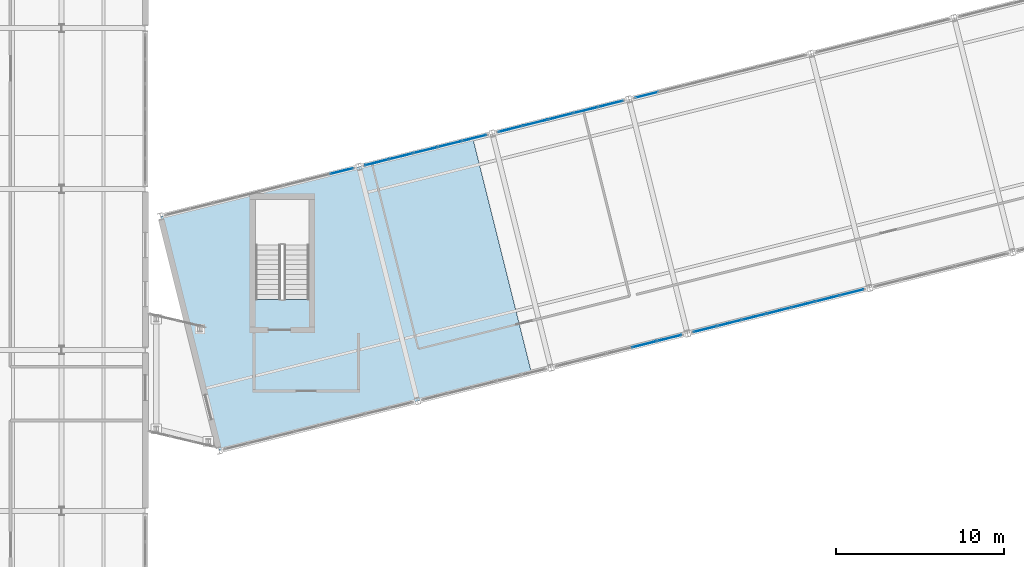
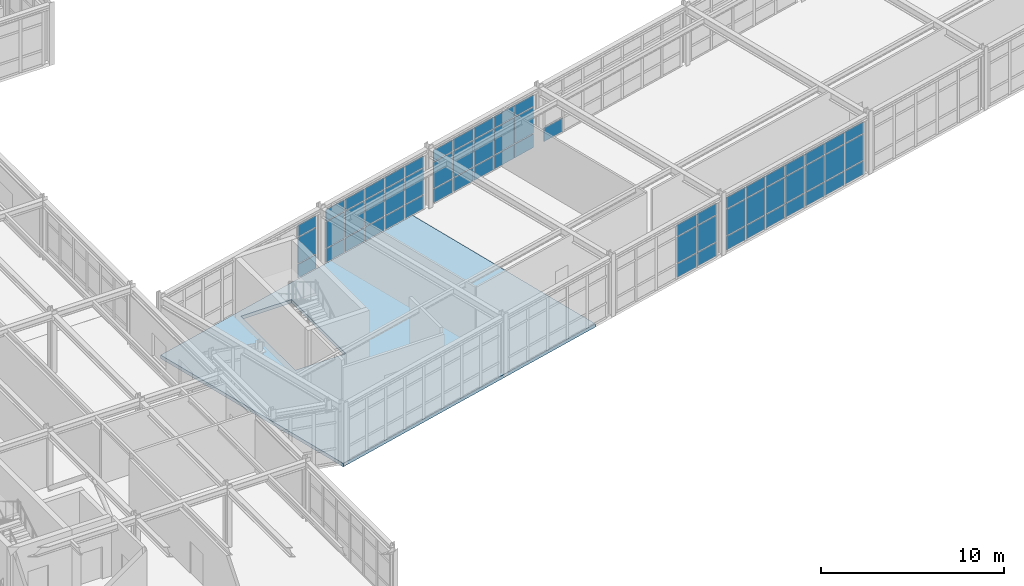
# One storey, part 47 of 76: 61 plates, 1 slab, 6 elements without a shape of their own.
"""IFC4 building model written with IfcOpenShell, lengths in metres."""

from ifc_helpers import new_model, si_unit, direction, frame, origin, origin_2d, place, context, subcontext, project, spatial, polyline, rectangle, outline, extrude, material, layer, layer_set, type_object, element, aggregate, save


model = new_model("IFC4")

# Units and contexts
model_context = context("Model", 3, precision=1e-05, world=origin(), true_north=direction((0.0, 1.0)))
body_context = subcontext(model_context, "Body", "Model", "MODEL_VIEW")
ifc_project = project(units=[si_unit("LENGTHUNIT", "METRE"), si_unit("AREAUNIT", "SQUARE_METRE"), si_unit("VOLUMEUNIT", "CUBIC_METRE"), si_unit("PLANEANGLEUNIT", "RADIAN"), si_unit("MASSUNIT", "GRAM", prefix="KILO")], contexts=[model_context])

# Site, building, storey
site_placement = place(None, origin())
site = spatial("IfcSite", under=ifc_project, at=site_placement, CompositionType="ELEMENT")
building_placement = place(site_placement, origin())
building = spatial("IfcBuilding", under=site, at=building_placement, Name="Nordkorset Police Headquarters", CompositionType="ELEMENT")
storey_placement = place(building_placement, frame((0.0, 0.0, 13.64990234375)))
storey = spatial("IfcBuildingStorey", under=building, at=storey_placement, Name="L03", CompositionType="ELEMENT", Elevation=13.64990234375)

# Curtain wall, plates
ifc_material_1 = material(Name="Aluminium alloy AW-6060", Category="aluminium")
ifc_layer_1 = layer(ifc_material_1, 0.179931640625, Name="Aluminium alloy AW-6060")
ifc_layer_set_1 = layer_set([ifc_layer_1], Name="Aluminium alloy AW-6060")
curtain_wall_type_1 = type_object("IfcCurtainWallType", Name="CW_Unit_1156x365", PredefinedType="USERDEFINED", material=ifc_layer_set_1)
curtain_wall_1_placement = place(storey_placement, origin())
curtain_wall_1 = element("IfcCurtainWall", 1, at=curtain_wall_1_placement, inside=storey, type_object=curtain_wall_type_1, Name="Unitised Curtain Wall L03 V4N-0", ObjectType="UNITISED CURTAIN WALL", PredefinedType="USERDEFINED")
ifc_material_2 = material(Name="Low-iron triple glazing", Category="glass")
ifc_layer_2 = layer(ifc_material_2, 0.035888671875, Name="Low-iron triple glazing")
ifc_layer_set_2 = layer_set([ifc_layer_2], Name="Low-iron triple glazing")
plate_type = type_object("IfcPlateType", Name="CW_Panel_TripleGlazing_36", PredefinedType="CURTAIN_PANEL", material=ifc_layer_set_2)
plate_1_placement = place(storey_placement, frame((30.916015625, 58.672119140625, 0.06494140625), z_axis=(0.0, 0.0, 1.0), x_axis=(0.970142347489, 0.242536235663, 0.0)))
plate_1 = element("IfcPlate", 2, at=plate_1_placement, type_object=plate_type, Name="CW-38 panel 8.1", PredefinedType="CURTAIN_PANEL", context=body_context, shape_type="SweptSolid", body=[
    extrude(rectangle(XDim=1.347412109375, YDim=0.035888671875, at=origin_2d()), origin(), (0.0, 0.0, 1.0), 0.902587890625),
])
plate_2_placement = place(storey_placement, frame((30.916015625, 58.672119140625, 1.03271484375), z_axis=(0.0, 0.0, 1.0), x_axis=(0.970142347489, 0.242536235663, 0.0)))
plate_2 = element("IfcPlate", 3, at=plate_2_placement, type_object=plate_type, Name="CW-38 panel 8.2", PredefinedType="CURTAIN_PANEL", context=body_context, shape_type="SweptSolid", body=[
    extrude(rectangle(XDim=1.347412109375, YDim=0.035888671875, at=origin_2d()), origin(), (0.0, 0.0, 1.0), 1.735107421875),
])
plate_3_placement = place(storey_placement, frame((30.916015625, 58.672119140625, 2.83251953125), z_axis=(0.0, 0.0, 1.0), x_axis=(0.970142347489, 0.242536235663, 0.0)))
plate_3 = element("IfcPlate", 4, at=plate_3_placement, type_object=plate_type, Name="CW-38 panel 8.3", PredefinedType="CURTAIN_PANEL", context=body_context, shape_type="SweptSolid", body=[
    extrude(rectangle(XDim=1.347412109375, YDim=0.035888671875, at=origin_2d()), origin(), (0.0, 0.0, 1.0), 0.75244140625),
])
aggregate(curtain_wall_1, [plate_1, plate_2, plate_3])

ifc_material_3 = material(Name="Aluminium alloy AW-6060", Category="aluminium")
ifc_layer_3 = layer(ifc_material_3, 0.179931640625, Name="Aluminium alloy AW-6060")
ifc_layer_set_3 = layer_set([ifc_layer_3], Name="Aluminium alloy AW-6060")
curtain_wall_type_2 = type_object("IfcCurtainWallType", Name="CW_Unit_756x365", PredefinedType="USERDEFINED", material=ifc_layer_set_3)
curtain_wall_2_placement = place(storey_placement, origin())
curtain_wall_2 = element("IfcCurtainWall", 5, at=curtain_wall_2_placement, inside=storey, type_object=curtain_wall_type_2, Name="Unitised Curtain Wall L03 V4N-1", ObjectType="UNITISED CURTAIN WALL", PredefinedType="USERDEFINED")
plate_4_placement = place(storey_placement, frame((33.0029296875, 59.19384765625, 0.06494140625), z_axis=(0.0, 0.0, 1.0), x_axis=(0.970142500145, 0.242535625038, 0.0)))
plate_4 = element("IfcPlate", 6, at=plate_4_placement, type_object=plate_type, Name="CW-104 panel 1.1", PredefinedType="CURTAIN_PANEL", context=body_context, shape_type="SweptSolid", body=[
    extrude(rectangle(XDim=1.41455078125, YDim=0.035888671875, at=origin_2d()), origin(), (0.0, 0.0, 1.0), 0.902587890625),
])
plate_5_placement = place(storey_placement, frame((33.0029296875, 59.19384765625, 1.03271484375), z_axis=(0.0, 0.0, 1.0), x_axis=(0.970142500145, 0.242535625038, 0.0)))
plate_5 = element("IfcPlate", 7, at=plate_5_placement, type_object=plate_type, Name="CW-104 panel 1.2", PredefinedType="CURTAIN_PANEL", context=body_context, shape_type="SweptSolid", body=[
    extrude(rectangle(XDim=1.41455078125, YDim=0.035888671875, at=origin_2d()), origin(), (0.0, 0.0, 1.0), 1.735107421875),
])
plate_6_placement = place(storey_placement, frame((33.0029296875, 59.19384765625, 2.83251953125), z_axis=(0.0, 0.0, 1.0), x_axis=(0.970142500145, 0.242535625038, 0.0)))
plate_6 = element("IfcPlate", 8, at=plate_6_placement, type_object=plate_type, Name="CW-104 panel 1.3", PredefinedType="CURTAIN_PANEL", context=body_context, shape_type="SweptSolid", body=[
    extrude(rectangle(XDim=1.41455078125, YDim=0.035888671875, at=origin_2d()), origin(), (0.0, 0.0, 1.0), 0.75244140625),
])
plate_7_placement = place(storey_placement, frame((34.453857421875, 59.556640625, 0.06494140625), z_axis=(0.0, 0.0, 1.0), x_axis=(0.970142500145, 0.242535625038, 0.0)))
plate_7 = element("IfcPlate", 9, at=plate_7_placement, type_object=plate_type, Name="CW-104 panel 2.1", PredefinedType="CURTAIN_PANEL", context=body_context, shape_type="SweptSolid", body=[
    extrude(rectangle(XDim=1.447021484375, YDim=0.035888671875, at=origin_2d()), origin(), (0.0, 0.0, 1.0), 0.902587890625),
])
plate_8_placement = place(storey_placement, frame((34.453857421875, 59.556640625, 1.03271484375), z_axis=(0.0, 0.0, 1.0), x_axis=(0.970142500145, 0.242535625038, 0.0)))
plate_8 = element("IfcPlate", 10, at=plate_8_placement, type_object=plate_type, Name="CW-104 panel 2.2", PredefinedType="CURTAIN_PANEL", context=body_context, shape_type="SweptSolid", body=[
    extrude(rectangle(XDim=1.447021484375, YDim=0.035888671875, at=origin_2d()), origin(), (0.0, 0.0, 1.0), 1.735107421875),
])
plate_9_placement = place(storey_placement, frame((34.453857421875, 59.556640625, 2.83251953125), z_axis=(0.0, 0.0, 1.0), x_axis=(0.970142500145, 0.242535625038, 0.0)))
plate_9 = element("IfcPlate", 11, at=plate_9_placement, type_object=plate_type, Name="CW-104 panel 2.3", PredefinedType="CURTAIN_PANEL", context=body_context, shape_type="SweptSolid", body=[
    extrude(rectangle(XDim=1.447021484375, YDim=0.035888671875, at=origin_2d()), origin(), (0.0, 0.0, 1.0), 0.75244140625),
])
plate_10_placement = place(storey_placement, frame((35.9208984375, 59.92333984375, 0.06494140625), z_axis=(0.0, 0.0, 1.0), x_axis=(0.970142500145, 0.242535625038, 0.0)))
plate_10 = element("IfcPlate", 12, at=plate_10_placement, type_object=plate_type, Name="CW-104 panel 3.1", PredefinedType="CURTAIN_PANEL", context=body_context, shape_type="SweptSolid", body=[
    extrude(rectangle(XDim=1.447021484375, YDim=0.035888671875, at=origin_2d()), origin(), (0.0, 0.0, 1.0), 0.902587890625),
])
plate_11_placement = place(storey_placement, frame((35.9208984375, 59.92333984375, 1.03271484375), z_axis=(0.0, 0.0, 1.0), x_axis=(0.970142500145, 0.242535625038, 0.0)))
plate_11 = element("IfcPlate", 13, at=plate_11_placement, type_object=plate_type, Name="CW-104 panel 3.2", PredefinedType="CURTAIN_PANEL", context=body_context, shape_type="SweptSolid", body=[
    extrude(rectangle(XDim=1.447021484375, YDim=0.035888671875, at=origin_2d()), origin(), (0.0, 0.0, 1.0), 1.735107421875),
])
plate_12_placement = place(storey_placement, frame((35.9208984375, 59.92333984375, 2.83251953125), z_axis=(0.0, 0.0, 1.0), x_axis=(0.970142500145, 0.242535625038, 0.0)))
plate_12 = element("IfcPlate", 14, at=plate_12_placement, type_object=plate_type, Name="CW-104 panel 3.3", PredefinedType="CURTAIN_PANEL", context=body_context, shape_type="SweptSolid", body=[
    extrude(rectangle(XDim=1.447021484375, YDim=0.035888671875, at=origin_2d()), origin(), (0.0, 0.0, 1.0), 0.75244140625),
])
plate_13_placement = place(storey_placement, frame((37.3876953125, 60.2900390625, 0.06494140625), z_axis=(0.0, 0.0, 1.0), x_axis=(0.970142500145, 0.242535625038, 0.0)))
plate_13 = element("IfcPlate", 15, at=plate_13_placement, type_object=plate_type, Name="CW-104 panel 4.1", PredefinedType="CURTAIN_PANEL", context=body_context, shape_type="SweptSolid", body=[
    extrude(rectangle(XDim=1.447021484375, YDim=0.035888671875, at=origin_2d()), origin(), (0.0, 0.0, 1.0), 0.902587890625),
])
plate_14_placement = place(storey_placement, frame((37.3876953125, 60.2900390625, 1.03271484375), z_axis=(0.0, 0.0, 1.0), x_axis=(0.970142500145, 0.242535625038, 0.0)))
plate_14 = element("IfcPlate", 16, at=plate_14_placement, type_object=plate_type, Name="CW-104 panel 4.2", PredefinedType="CURTAIN_PANEL", context=body_context, shape_type="SweptSolid", body=[
    extrude(rectangle(XDim=1.447021484375, YDim=0.035888671875, at=origin_2d()), origin(), (0.0, 0.0, 1.0), 1.735107421875),
])
plate_15_placement = place(storey_placement, frame((37.3876953125, 60.2900390625, 2.83251953125), z_axis=(0.0, 0.0, 1.0), x_axis=(0.970142500145, 0.242535625038, 0.0)))
plate_15 = element("IfcPlate", 17, at=plate_15_placement, type_object=plate_type, Name="CW-104 panel 4.3", PredefinedType="CURTAIN_PANEL", context=body_context, shape_type="SweptSolid", body=[
    extrude(rectangle(XDim=1.447021484375, YDim=0.035888671875, at=origin_2d()), origin(), (0.0, 0.0, 1.0), 0.75244140625),
])
plate_16_placement = place(storey_placement, frame((38.8388671875, 60.65283203125, 0.06494140625), z_axis=(0.0, 0.0, 1.0), x_axis=(0.970142500145, 0.242535625038, 0.0)))
plate_16 = element("IfcPlate", 18, at=plate_16_placement, type_object=plate_type, Name="CW-104 panel 5.1", PredefinedType="CURTAIN_PANEL", context=body_context, shape_type="SweptSolid", body=[
    extrude(rectangle(XDim=1.41455078125, YDim=0.035888671875, at=origin_2d()), origin(), (0.0, 0.0, 1.0), 0.902587890625),
])
plate_17_placement = place(storey_placement, frame((38.8388671875, 60.65283203125, 1.03271484375), z_axis=(0.0, 0.0, 1.0), x_axis=(0.970142500145, 0.242535625038, 0.0)))
plate_17 = element("IfcPlate", 19, at=plate_17_placement, type_object=plate_type, Name="CW-104 panel 5.2", PredefinedType="CURTAIN_PANEL", context=body_context, shape_type="SweptSolid", body=[
    extrude(rectangle(XDim=1.41455078125, YDim=0.035888671875, at=origin_2d()), origin(), (0.0, 0.0, 1.0), 1.735107421875),
])
plate_18_placement = place(storey_placement, frame((38.8388671875, 60.65283203125, 2.83251953125), z_axis=(0.0, 0.0, 1.0), x_axis=(0.970142500145, 0.242535625038, 0.0)))
plate_18 = element("IfcPlate", 20, at=plate_18_placement, type_object=plate_type, Name="CW-104 panel 5.3", PredefinedType="CURTAIN_PANEL", context=body_context, shape_type="SweptSolid", body=[
    extrude(rectangle(XDim=1.41455078125, YDim=0.035888671875, at=origin_2d()), origin(), (0.0, 0.0, 1.0), 0.75244140625),
])
aggregate(curtain_wall_2, [plate_4, plate_5, plate_6, plate_7, plate_8, plate_9, plate_10, plate_11, plate_12, plate_13, plate_14, plate_15, plate_16, plate_17, plate_18])

ifc_material_4 = material(Name="Aluminium alloy AW-6060", Category="aluminium")
ifc_layer_4 = layer(ifc_material_4, 0.179931640625, Name="Aluminium alloy AW-6060")
ifc_layer_set_4 = layer_set([ifc_layer_4], Name="Aluminium alloy AW-6060")
curtain_wall_type_3 = type_object("IfcCurtainWallType", Name="CW_Unit_776x365", PredefinedType="USERDEFINED", material=ifc_layer_set_4)
curtain_wall_3_placement = place(storey_placement, origin())
curtain_wall_3 = element("IfcCurtainWall", 21, at=curtain_wall_3_placement, inside=storey, type_object=curtain_wall_type_3, Name="Unitised Curtain Wall L03 V4S-2", ObjectType="UNITISED CURTAIN WALL", PredefinedType="USERDEFINED")
plate_19_placement = place(storey_placement, frame((48.97119140625, 48.3427734375, 0.06494140625), z_axis=(0.0, 0.0, 1.0), x_axis=(0.970142727556, 0.24253471539, 0.0)))
plate_19 = element("IfcPlate", 22, at=plate_19_placement, type_object=plate_type, Name="CW-42 panel 4.1", PredefinedType="CURTAIN_PANEL", context=body_context, shape_type="SweptSolid", body=[
    extrude(rectangle(XDim=1.487060546875, YDim=0.035888671875, at=origin_2d()), origin(), (0.0, 0.0, 1.0), 0.902587890625),
])
plate_20_placement = place(storey_placement, frame((48.97119140625, 48.3427734375, 1.03271484375), z_axis=(0.0, 0.0, 1.0), x_axis=(0.970142727556, 0.24253471539, 0.0)))
plate_20 = element("IfcPlate", 23, at=plate_20_placement, type_object=plate_type, Name="CW-42 panel 4.2", PredefinedType="CURTAIN_PANEL", context=body_context, shape_type="SweptSolid", body=[
    extrude(rectangle(XDim=1.487060546875, YDim=0.035888671875, at=origin_2d()), origin(), (0.0, 0.0, 1.0), 1.735107421875),
])
plate_21_placement = place(storey_placement, frame((48.97119140625, 48.3427734375, 2.83251953125), z_axis=(0.0, 0.0, 1.0), x_axis=(0.970142727556, 0.24253471539, 0.0)))
plate_21 = element("IfcPlate", 24, at=plate_21_placement, type_object=plate_type, Name="CW-42 panel 4.3", PredefinedType="CURTAIN_PANEL", context=body_context, shape_type="SweptSolid", body=[
    extrude(rectangle(XDim=1.487060546875, YDim=0.035888671875, at=origin_2d()), origin(), (0.0, 0.0, 1.0), 0.75244140625),
])
plate_22_placement = place(storey_placement, frame((50.461181640625, 48.71533203125, 0.06494140625), z_axis=(0.0, 0.0, 1.0), x_axis=(0.970142727556, 0.24253471539, 0.0)))
plate_22 = element("IfcPlate", 25, at=plate_22_placement, type_object=plate_type, Name="CW-42 panel 5.1", PredefinedType="CURTAIN_PANEL", context=body_context, shape_type="SweptSolid", body=[
    extrude(rectangle(XDim=1.45458984375, YDim=0.035888671875, at=origin_2d()), origin(), (0.0, 0.0, 1.0), 0.902587890625),
])
plate_23_placement = place(storey_placement, frame((50.461181640625, 48.71533203125, 1.03271484375), z_axis=(0.0, 0.0, 1.0), x_axis=(0.970142727556, 0.24253471539, 0.0)))
plate_23 = element("IfcPlate", 26, at=plate_23_placement, type_object=plate_type, Name="CW-42 panel 5.2", PredefinedType="CURTAIN_PANEL", context=body_context, shape_type="SweptSolid", body=[
    extrude(rectangle(XDim=1.45458984375, YDim=0.035888671875, at=origin_2d()), origin(), (0.0, 0.0, 1.0), 1.735107421875),
])
plate_24_placement = place(storey_placement, frame((50.461181640625, 48.71533203125, 2.83251953125), z_axis=(0.0, 0.0, 1.0), x_axis=(0.970142727556, 0.24253471539, 0.0)))
plate_24 = element("IfcPlate", 27, at=plate_24_placement, type_object=plate_type, Name="CW-42 panel 5.3", PredefinedType="CURTAIN_PANEL", context=body_context, shape_type="SweptSolid", body=[
    extrude(rectangle(XDim=1.45458984375, YDim=0.035888671875, at=origin_2d()), origin(), (0.0, 0.0, 1.0), 0.75244140625),
])
aggregate(curtain_wall_3, [plate_19, plate_20, plate_21, plate_22, plate_23, plate_24])

curtain_wall_4_placement = place(storey_placement, origin())
curtain_wall_4 = element("IfcCurtainWall", 28, at=curtain_wall_4_placement, inside=storey, type_object=curtain_wall_type_3, Name="Unitised Curtain Wall L03 V4N-2", ObjectType="UNITISED CURTAIN WALL", PredefinedType="USERDEFINED")
plate_25_placement = place(storey_placement, frame((40.9775390625, 61.1875, 0.06494140625), z_axis=(0.0, 0.0, 1.0), x_axis=(0.970142424344, 0.242535928242, 0.0)))
plate_25 = element("IfcPlate", 29, at=plate_25_placement, type_object=plate_type, Name="CW-42 panel 1.1", PredefinedType="CURTAIN_PANEL", context=body_context, shape_type="SweptSolid", body=[
    extrude(rectangle(XDim=1.45458984375, YDim=0.035888671875, at=origin_2d()), origin(), (0.0, 0.0, 1.0), 0.902587890625),
])
plate_26_placement = place(storey_placement, frame((40.9775390625, 61.1875, 1.03271484375), z_axis=(0.0, 0.0, 1.0), x_axis=(0.970142424344, 0.242535928242, 0.0)))
plate_26 = element("IfcPlate", 30, at=plate_26_placement, type_object=plate_type, Name="CW-42 panel 1.2", PredefinedType="CURTAIN_PANEL", context=body_context, shape_type="SweptSolid", body=[
    extrude(rectangle(XDim=1.45458984375, YDim=0.035888671875, at=origin_2d()), origin(), (0.0, 0.0, 1.0), 1.735107421875),
])
plate_27_placement = place(storey_placement, frame((40.9775390625, 61.1875, 2.83251953125), z_axis=(0.0, 0.0, 1.0), x_axis=(0.970142424344, 0.242535928242, 0.0)))
plate_27 = element("IfcPlate", 31, at=plate_27_placement, type_object=plate_type, Name="CW-42 panel 1.3", PredefinedType="CURTAIN_PANEL", context=body_context, shape_type="SweptSolid", body=[
    extrude(rectangle(XDim=1.45458984375, YDim=0.035888671875, at=origin_2d()), origin(), (0.0, 0.0, 1.0), 0.75244140625),
])
plate_28_placement = place(storey_placement, frame((42.46728515625, 61.56005859375, 0.06494140625), z_axis=(0.0, 0.0, 1.0), x_axis=(0.970142424344, 0.242535928242, 0.0)))
plate_28 = element("IfcPlate", 32, at=plate_28_placement, type_object=plate_type, Name="CW-42 panel 2.1", PredefinedType="CURTAIN_PANEL", context=body_context, shape_type="SweptSolid", body=[
    extrude(rectangle(XDim=1.487060546875, YDim=0.035888671875, at=origin_2d()), origin(), (0.0, 0.0, 1.0), 0.902587890625),
])
plate_29_placement = place(storey_placement, frame((42.46728515625, 61.56005859375, 1.03271484375), z_axis=(0.0, 0.0, 1.0), x_axis=(0.970142424344, 0.242535928242, 0.0)))
plate_29 = element("IfcPlate", 33, at=plate_29_placement, type_object=plate_type, Name="CW-42 panel 2.2", PredefinedType="CURTAIN_PANEL", context=body_context, shape_type="SweptSolid", body=[
    extrude(rectangle(XDim=1.487060546875, YDim=0.035888671875, at=origin_2d()), origin(), (0.0, 0.0, 1.0), 1.735107421875),
])
plate_30_placement = place(storey_placement, frame((42.46728515625, 61.56005859375, 2.83251953125), z_axis=(0.0, 0.0, 1.0), x_axis=(0.970142424344, 0.242535928242, 0.0)))
plate_30 = element("IfcPlate", 34, at=plate_30_placement, type_object=plate_type, Name="CW-42 panel 2.3", PredefinedType="CURTAIN_PANEL", context=body_context, shape_type="SweptSolid", body=[
    extrude(rectangle(XDim=1.487060546875, YDim=0.035888671875, at=origin_2d()), origin(), (0.0, 0.0, 1.0), 0.75244140625),
])
plate_31_placement = place(storey_placement, frame((43.972900390625, 61.9365234375, 0.06494140625), z_axis=(0.0, 0.0, 1.0), x_axis=(0.970142424344, 0.242535928242, 0.0)))
plate_31 = element("IfcPlate", 35, at=plate_31_placement, type_object=plate_type, Name="CW-42 panel 3.1", PredefinedType="CURTAIN_PANEL", context=body_context, shape_type="SweptSolid", body=[
    extrude(rectangle(XDim=1.487060546875, YDim=0.035888671875, at=origin_2d()), origin(), (0.0, 0.0, 1.0), 0.902587890625),
])
plate_32_placement = place(storey_placement, frame((43.972900390625, 61.9365234375, 1.03271484375), z_axis=(0.0, 0.0, 1.0), x_axis=(0.970142424344, 0.242535928242, 0.0)))
plate_32 = element("IfcPlate", 36, at=plate_32_placement, type_object=plate_type, Name="CW-42 panel 3.2", PredefinedType="CURTAIN_PANEL", context=body_context, shape_type="SweptSolid", body=[
    extrude(rectangle(XDim=1.487060546875, YDim=0.035888671875, at=origin_2d()), origin(), (0.0, 0.0, 1.0), 1.735107421875),
])
plate_33_placement = place(storey_placement, frame((43.972900390625, 61.9365234375, 2.83251953125), z_axis=(0.0, 0.0, 1.0), x_axis=(0.970142424344, 0.242535928242, 0.0)))
plate_33 = element("IfcPlate", 37, at=plate_33_placement, type_object=plate_type, Name="CW-42 panel 3.3", PredefinedType="CURTAIN_PANEL", context=body_context, shape_type="SweptSolid", body=[
    extrude(rectangle(XDim=1.487060546875, YDim=0.035888671875, at=origin_2d()), origin(), (0.0, 0.0, 1.0), 0.75244140625),
])
plate_34_placement = place(storey_placement, frame((45.478759765625, 62.312744140625, 0.06494140625), z_axis=(0.0, 0.0, 1.0), x_axis=(0.970142424344, 0.242535928242, 0.0)))
plate_34 = element("IfcPlate", 38, at=plate_34_placement, type_object=plate_type, Name="CW-42 panel 4.1", PredefinedType="CURTAIN_PANEL", context=body_context, shape_type="SweptSolid", body=[
    extrude(rectangle(XDim=1.487060546875, YDim=0.035888671875, at=origin_2d()), origin(), (0.0, 0.0, 1.0), 0.902587890625),
])
plate_35_placement = place(storey_placement, frame((45.478759765625, 62.312744140625, 1.03271484375), z_axis=(0.0, 0.0, 1.0), x_axis=(0.970142424344, 0.242535928242, 0.0)))
plate_35 = element("IfcPlate", 39, at=plate_35_placement, type_object=plate_type, Name="CW-42 panel 4.2", PredefinedType="CURTAIN_PANEL", context=body_context, shape_type="SweptSolid", body=[
    extrude(rectangle(XDim=1.487060546875, YDim=0.035888671875, at=origin_2d()), origin(), (0.0, 0.0, 1.0), 1.735107421875),
])
plate_36_placement = place(storey_placement, frame((45.478759765625, 62.312744140625, 2.83251953125), z_axis=(0.0, 0.0, 1.0), x_axis=(0.970142424344, 0.242535928242, 0.0)))
plate_36 = element("IfcPlate", 40, at=plate_36_placement, type_object=plate_type, Name="CW-42 panel 4.3", PredefinedType="CURTAIN_PANEL", context=body_context, shape_type="SweptSolid", body=[
    extrude(rectangle(XDim=1.487060546875, YDim=0.035888671875, at=origin_2d()), origin(), (0.0, 0.0, 1.0), 0.75244140625),
])
plate_37_placement = place(storey_placement, frame((46.968505859375, 62.685302734375, 0.06494140625), z_axis=(0.0, 0.0, 1.0), x_axis=(0.970142424344, 0.242535928242, 0.0)))
plate_37 = element("IfcPlate", 41, at=plate_37_placement, type_object=plate_type, Name="CW-42 panel 5.1", PredefinedType="CURTAIN_PANEL", context=body_context, shape_type="SweptSolid", body=[
    extrude(rectangle(XDim=1.45458984375, YDim=0.035888671875, at=origin_2d()), origin(), (0.0, 0.0, 1.0), 0.902587890625),
])
plate_38_placement = place(storey_placement, frame((46.968505859375, 62.685302734375, 1.03271484375), z_axis=(0.0, 0.0, 1.0), x_axis=(0.970142424344, 0.242535928242, 0.0)))
plate_38 = element("IfcPlate", 42, at=plate_38_placement, type_object=plate_type, Name="CW-42 panel 5.2", PredefinedType="CURTAIN_PANEL", context=body_context, shape_type="SweptSolid", body=[
    extrude(rectangle(XDim=1.45458984375, YDim=0.035888671875, at=origin_2d()), origin(), (0.0, 0.0, 1.0), 1.735107421875),
])
plate_39_placement = place(storey_placement, frame((46.968505859375, 62.685302734375, 2.83251953125), z_axis=(0.0, 0.0, 1.0), x_axis=(0.970142424344, 0.242535928242, 0.0)))
plate_39 = element("IfcPlate", 43, at=plate_39_placement, type_object=plate_type, Name="CW-42 panel 5.3", PredefinedType="CURTAIN_PANEL", context=body_context, shape_type="SweptSolid", body=[
    extrude(rectangle(XDim=1.45458984375, YDim=0.035888671875, at=origin_2d()), origin(), (0.0, 0.0, 1.0), 0.75244140625),
])
aggregate(curtain_wall_4, [plate_25, plate_26, plate_27, plate_28, plate_29, plate_30, plate_31, plate_32, plate_33, plate_34, plate_35, plate_36, plate_37, plate_38, plate_39])

ifc_material_5 = material(Name="Aluminium alloy AW-6060", Category="aluminium")
ifc_layer_5 = layer(ifc_material_5, 0.179931640625, Name="Aluminium alloy AW-6060")
ifc_layer_set_5 = layer_set([ifc_layer_5], Name="Aluminium alloy AW-6060")
curtain_wall_type_4 = type_object("IfcCurtainWallType", Name="CW_Unit_1056x365", PredefinedType="USERDEFINED", material=ifc_layer_set_5)
curtain_wall_5_placement = place(storey_placement, origin())
curtain_wall_5 = element("IfcCurtainWall", 44, at=curtain_wall_5_placement, inside=storey, type_object=curtain_wall_type_4, Name="Unitised Curtain Wall L03 V4S-3", ObjectType="UNITISED CURTAIN WALL", PredefinedType="USERDEFINED")
plate_40_placement = place(storey_placement, frame((52.59814453125, 49.24951171875, 0.06494140625), z_axis=(0.0, 0.0, 1.0), x_axis=(0.970142611554, 0.242535179399, 0.0)))
plate_40 = element("IfcPlate", 45, at=plate_40_placement, type_object=plate_type, Name="CW-11 panel 1.1", PredefinedType="CURTAIN_PANEL", context=body_context, shape_type="SweptSolid", body=[
    extrude(rectangle(XDim=1.4111328125, YDim=0.035888671875, at=origin_2d()), origin(), (0.0, 0.0, 1.0), 0.902587890625),
])
plate_41_placement = place(storey_placement, frame((52.59814453125, 49.24951171875, 1.03271484375), z_axis=(0.0, 0.0, 1.0), x_axis=(0.970142611554, 0.242535179399, 0.0)))
plate_41 = element("IfcPlate", 46, at=plate_41_placement, type_object=plate_type, Name="CW-11 panel 1.2", PredefinedType="CURTAIN_PANEL", context=body_context, shape_type="SweptSolid", body=[
    extrude(rectangle(XDim=1.4111328125, YDim=0.035888671875, at=origin_2d()), origin(), (0.0, 0.0, 1.0), 1.735107421875),
])
plate_42_placement = place(storey_placement, frame((52.59814453125, 49.24951171875, 2.83251953125), z_axis=(0.0, 0.0, 1.0), x_axis=(0.970142611554, 0.242535179399, 0.0)))
plate_42 = element("IfcPlate", 47, at=plate_42_placement, type_object=plate_type, Name="CW-11 panel 1.3", PredefinedType="CURTAIN_PANEL", context=body_context, shape_type="SweptSolid", body=[
    extrude(rectangle(XDim=1.4111328125, YDim=0.035888671875, at=origin_2d()), origin(), (0.0, 0.0, 1.0), 0.75244140625),
])
plate_43_placement = place(storey_placement, frame((54.0458984375, 49.611572265625, 0.06494140625), z_axis=(0.0, 0.0, 1.0), x_axis=(0.970142611554, 0.242535179399, 0.0)))
plate_43 = element("IfcPlate", 48, at=plate_43_placement, type_object=plate_type, Name="CW-11 panel 2.1", PredefinedType="CURTAIN_PANEL", context=body_context, shape_type="SweptSolid", body=[
    extrude(rectangle(XDim=1.443603515625, YDim=0.035888671875, at=origin_2d()), origin(), (0.0, 0.0, 1.0), 0.902587890625),
])
plate_44_placement = place(storey_placement, frame((54.0458984375, 49.611572265625, 1.03271484375), z_axis=(0.0, 0.0, 1.0), x_axis=(0.970142611554, 0.242535179399, 0.0)))
plate_44 = element("IfcPlate", 49, at=plate_44_placement, type_object=plate_type, Name="CW-11 panel 2.2", PredefinedType="CURTAIN_PANEL", context=body_context, shape_type="SweptSolid", body=[
    extrude(rectangle(XDim=1.443603515625, YDim=0.035888671875, at=origin_2d()), origin(), (0.0, 0.0, 1.0), 1.735107421875),
])
plate_45_placement = place(storey_placement, frame((54.0458984375, 49.611572265625, 2.83251953125), z_axis=(0.0, 0.0, 1.0), x_axis=(0.970142611554, 0.242535179399, 0.0)))
plate_45 = element("IfcPlate", 50, at=plate_45_placement, type_object=plate_type, Name="CW-11 panel 2.3", PredefinedType="CURTAIN_PANEL", context=body_context, shape_type="SweptSolid", body=[
    extrude(rectangle(XDim=1.443603515625, YDim=0.035888671875, at=origin_2d()), origin(), (0.0, 0.0, 1.0), 0.75244140625),
])
plate_46_placement = place(storey_placement, frame((55.50927734375, 49.977294921875, 0.06494140625), z_axis=(0.0, 0.0, 1.0), x_axis=(0.970142611554, 0.242535179399, 0.0)))
plate_46 = element("IfcPlate", 51, at=plate_46_placement, type_object=plate_type, Name="CW-11 panel 3.1", PredefinedType="CURTAIN_PANEL", context=body_context, shape_type="SweptSolid", body=[
    extrude(rectangle(XDim=1.443603515625, YDim=0.035888671875, at=origin_2d()), origin(), (0.0, 0.0, 1.0), 0.902587890625),
])
plate_47_placement = place(storey_placement, frame((55.50927734375, 49.977294921875, 1.03271484375), z_axis=(0.0, 0.0, 1.0), x_axis=(0.970142611554, 0.242535179399, 0.0)))
plate_47 = element("IfcPlate", 52, at=plate_47_placement, type_object=plate_type, Name="CW-11 panel 3.2", PredefinedType="CURTAIN_PANEL", context=body_context, shape_type="SweptSolid", body=[
    extrude(rectangle(XDim=1.443603515625, YDim=0.035888671875, at=origin_2d()), origin(), (0.0, 0.0, 1.0), 1.735107421875),
])
plate_48_placement = place(storey_placement, frame((55.50927734375, 49.977294921875, 2.83251953125), z_axis=(0.0, 0.0, 1.0), x_axis=(0.970142611554, 0.242535179399, 0.0)))
plate_48 = element("IfcPlate", 53, at=plate_48_placement, type_object=plate_type, Name="CW-11 panel 3.3", PredefinedType="CURTAIN_PANEL", context=body_context, shape_type="SweptSolid", body=[
    extrude(rectangle(XDim=1.443603515625, YDim=0.035888671875, at=origin_2d()), origin(), (0.0, 0.0, 1.0), 0.75244140625),
])
plate_49_placement = place(storey_placement, frame((56.972900390625, 50.34326171875, 0.06494140625), z_axis=(0.0, 0.0, 1.0), x_axis=(0.970142611554, 0.242535179399, 0.0)))
plate_49 = element("IfcPlate", 54, at=plate_49_placement, type_object=plate_type, Name="CW-11 panel 4.1", PredefinedType="CURTAIN_PANEL", context=body_context, shape_type="SweptSolid", body=[
    extrude(rectangle(XDim=1.443603515625, YDim=0.035888671875, at=origin_2d()), origin(), (0.0, 0.0, 1.0), 0.902587890625),
])
plate_50_placement = place(storey_placement, frame((56.972900390625, 50.34326171875, 1.03271484375), z_axis=(0.0, 0.0, 1.0), x_axis=(0.970142611554, 0.242535179399, 0.0)))
plate_50 = element("IfcPlate", 55, at=plate_50_placement, type_object=plate_type, Name="CW-11 panel 4.2", PredefinedType="CURTAIN_PANEL", context=body_context, shape_type="SweptSolid", body=[
    extrude(rectangle(XDim=1.443603515625, YDim=0.035888671875, at=origin_2d()), origin(), (0.0, 0.0, 1.0), 1.735107421875),
])
plate_51_placement = place(storey_placement, frame((56.972900390625, 50.34326171875, 2.83251953125), z_axis=(0.0, 0.0, 1.0), x_axis=(0.970142611554, 0.242535179399, 0.0)))
plate_51 = element("IfcPlate", 56, at=plate_51_placement, type_object=plate_type, Name="CW-11 panel 4.3", PredefinedType="CURTAIN_PANEL", context=body_context, shape_type="SweptSolid", body=[
    extrude(rectangle(XDim=1.443603515625, YDim=0.035888671875, at=origin_2d()), origin(), (0.0, 0.0, 1.0), 0.75244140625),
])
plate_52_placement = place(storey_placement, frame((58.4365234375, 50.708984375, 0.06494140625), z_axis=(0.0, 0.0, 1.0), x_axis=(0.970142611554, 0.242535179399, 0.0)))
plate_52 = element("IfcPlate", 57, at=plate_52_placement, type_object=plate_type, Name="CW-11 panel 5.1", PredefinedType="CURTAIN_PANEL", context=body_context, shape_type="SweptSolid", body=[
    extrude(rectangle(XDim=1.443603515625, YDim=0.035888671875, at=origin_2d()), origin(), (0.0, 0.0, 1.0), 0.902587890625),
])
plate_53_placement = place(storey_placement, frame((58.4365234375, 50.708984375, 1.03271484375), z_axis=(0.0, 0.0, 1.0), x_axis=(0.970142611554, 0.242535179399, 0.0)))
plate_53 = element("IfcPlate", 58, at=plate_53_placement, type_object=plate_type, Name="CW-11 panel 5.2", PredefinedType="CURTAIN_PANEL", context=body_context, shape_type="SweptSolid", body=[
    extrude(rectangle(XDim=1.443603515625, YDim=0.035888671875, at=origin_2d()), origin(), (0.0, 0.0, 1.0), 1.735107421875),
])
plate_54_placement = place(storey_placement, frame((58.4365234375, 50.708984375, 2.83251953125), z_axis=(0.0, 0.0, 1.0), x_axis=(0.970142611554, 0.242535179399, 0.0)))
plate_54 = element("IfcPlate", 59, at=plate_54_placement, type_object=plate_type, Name="CW-11 panel 5.3", PredefinedType="CURTAIN_PANEL", context=body_context, shape_type="SweptSolid", body=[
    extrude(rectangle(XDim=1.443603515625, YDim=0.035888671875, at=origin_2d()), origin(), (0.0, 0.0, 1.0), 0.75244140625),
])
plate_55_placement = place(storey_placement, frame((59.89990234375, 51.074951171875, 0.06494140625), z_axis=(0.0, 0.0, 1.0), x_axis=(0.970142611554, 0.242535179399, 0.0)))
plate_55 = element("IfcPlate", 60, at=plate_55_placement, type_object=plate_type, Name="CW-11 panel 6.1", PredefinedType="CURTAIN_PANEL", context=body_context, shape_type="SweptSolid", body=[
    extrude(rectangle(XDim=1.443603515625, YDim=0.035888671875, at=origin_2d()), origin(), (0.0, 0.0, 1.0), 0.902587890625),
])
plate_56_placement = place(storey_placement, frame((59.89990234375, 51.074951171875, 1.03271484375), z_axis=(0.0, 0.0, 1.0), x_axis=(0.970142611554, 0.242535179399, 0.0)))
plate_56 = element("IfcPlate", 61, at=plate_56_placement, type_object=plate_type, Name="CW-11 panel 6.2", PredefinedType="CURTAIN_PANEL", context=body_context, shape_type="SweptSolid", body=[
    extrude(rectangle(XDim=1.443603515625, YDim=0.035888671875, at=origin_2d()), origin(), (0.0, 0.0, 1.0), 1.735107421875),
])
plate_57_placement = place(storey_placement, frame((59.89990234375, 51.074951171875, 2.83251953125), z_axis=(0.0, 0.0, 1.0), x_axis=(0.970142611554, 0.242535179399, 0.0)))
plate_57 = element("IfcPlate", 62, at=plate_57_placement, type_object=plate_type, Name="CW-11 panel 6.3", PredefinedType="CURTAIN_PANEL", context=body_context, shape_type="SweptSolid", body=[
    extrude(rectangle(XDim=1.443603515625, YDim=0.035888671875, at=origin_2d()), origin(), (0.0, 0.0, 1.0), 0.75244140625),
])
plate_58_placement = place(storey_placement, frame((61.34765625, 51.43701171875, 0.06494140625), z_axis=(0.0, 0.0, 1.0), x_axis=(0.970142611554, 0.242535179399, 0.0)))
plate_58 = element("IfcPlate", 63, at=plate_58_placement, type_object=plate_type, Name="CW-11 panel 7.1", PredefinedType="CURTAIN_PANEL", context=body_context, shape_type="SweptSolid", body=[
    extrude(rectangle(XDim=1.4111328125, YDim=0.035888671875, at=origin_2d()), origin(), (0.0, 0.0, 1.0), 0.902587890625),
])
plate_59_placement = place(storey_placement, frame((61.34765625, 51.43701171875, 1.03271484375), z_axis=(0.0, 0.0, 1.0), x_axis=(0.970142611554, 0.242535179399, 0.0)))
plate_59 = element("IfcPlate", 64, at=plate_59_placement, type_object=plate_type, Name="CW-11 panel 7.2", PredefinedType="CURTAIN_PANEL", context=body_context, shape_type="SweptSolid", body=[
    extrude(rectangle(XDim=1.4111328125, YDim=0.035888671875, at=origin_2d()), origin(), (0.0, 0.0, 1.0), 1.735107421875),
])
plate_60_placement = place(storey_placement, frame((61.34765625, 51.43701171875, 2.83251953125), z_axis=(0.0, 0.0, 1.0), x_axis=(0.970142611554, 0.242535179399, 0.0)))
plate_60 = element("IfcPlate", 65, at=plate_60_placement, type_object=plate_type, Name="CW-11 panel 7.3", PredefinedType="CURTAIN_PANEL", context=body_context, shape_type="SweptSolid", body=[
    extrude(rectangle(XDim=1.4111328125, YDim=0.035888671875, at=origin_2d()), origin(), (0.0, 0.0, 1.0), 0.75244140625),
])
aggregate(curtain_wall_5, [plate_40, plate_41, plate_42, plate_43, plate_44, plate_45, plate_46, plate_47, plate_48, plate_49, plate_50, plate_51, plate_52, plate_53, plate_54, plate_55, plate_56, plate_57, plate_58, plate_59, plate_60])

# Curtain wall, plate
curtain_wall_6_placement = place(storey_placement, origin())
curtain_wall_6 = element("IfcCurtainWall", 66, at=curtain_wall_6_placement, inside=storey, type_object=curtain_wall_type_4, Name="Unitised Curtain Wall L03 V4N-3", ObjectType="UNITISED CURTAIN WALL", PredefinedType="USERDEFINED")
plate_61_placement = place(storey_placement, frame((49.10546875, 63.219482421875, 0.06494140625), z_axis=(0.0, 0.0, 1.0), x_axis=(0.970142388735, 0.242536070676, 0.0)))
plate_61 = element("IfcPlate", 67, at=plate_61_placement, type_object=plate_type, Name="CW-11 panel 1.1", PredefinedType="CURTAIN_PANEL", context=body_context, shape_type="SweptSolid", body=[
    extrude(rectangle(XDim=1.4111328125, YDim=0.035888671875, at=origin_2d()), origin(), (0.0, 0.0, 1.0), 0.902587890625),
])
aggregate(curtain_wall_6, [plate_61])

# Slab
ifc_material_6 = material(Name="Concrete C35/45", Category="concrete")
ifc_layer_6 = layer(ifc_material_6, 0.22998046875, Name="Concrete C35/45")
ifc_layer_set_6 = layer_set([ifc_layer_6], Name="Concrete C35/45")
slab_type = type_object("IfcSlabType", Name="Slab_Lab_230", PredefinedType="FLOOR", material=ifc_layer_set_6)
slab_placement = place(storey_placement, frame((0.0, 0.0, -0.22998046875)))
element("IfcSlab", 68, at=slab_placement, inside=storey, type_object=slab_type, Name="Splayed Wing Floor Slab West L03", PredefinedType="FLOOR", context=body_context, shape_type="SweptSolid", body=[
    extrude(outline(polyline([(20.107421875, 55.969970703125), (38.734130859375, 60.626708984375), (42.226806640625, 46.65673828125), (23.60009765625, 42.0), (20.107421875, 55.969970703125)]), holes=[polyline([(28.97509765625, 56.97509765625), (25.77490234375, 56.97509765625), (25.77490234375, 51.028076171875), (28.97509765625, 51.028076171875), (28.97509765625, 56.97509765625)])]), origin(), (0.0, 0.0, 1.0), 0.22998046875),
])

save(model, "model.ifc")
